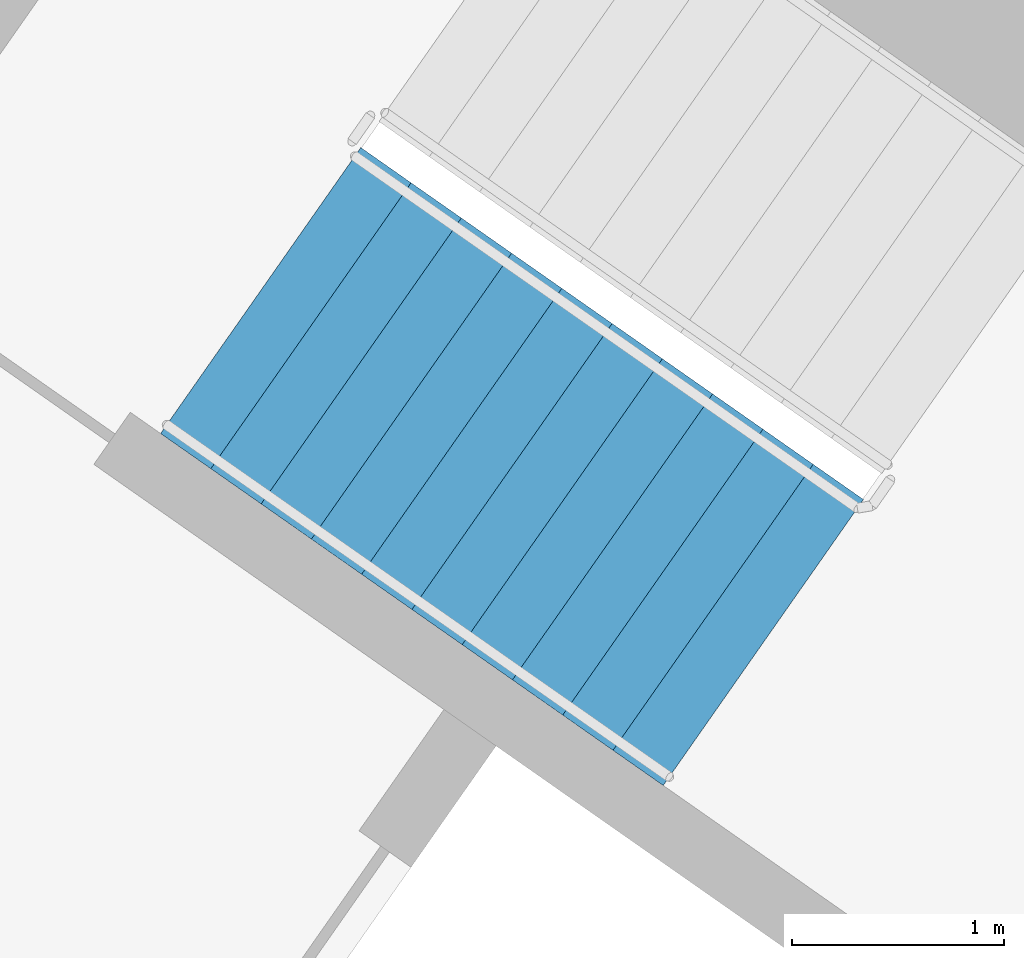
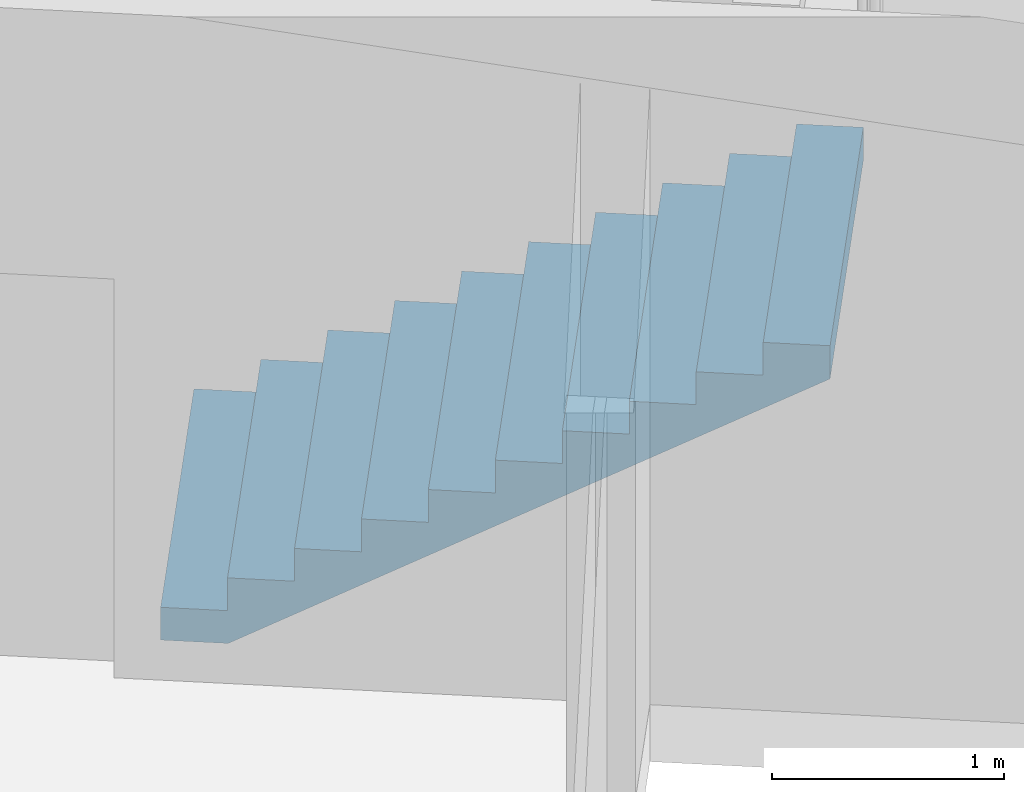
# One storey, part 13 of 33: 1 stair flight, 1 element without a shape of its own.
"""IFC4 building model written with IfcOpenShell, lengths in metres."""

from ifc_helpers import new_model, si_unit, direction, frame, origin, place, context, subcontext, project, spatial, faceted_brep, material, type_object, element, aggregate, save


model = new_model("IFC4")

# Units and contexts
model_context = context("Model", 3, precision=1e-05, world=origin(), true_north=direction((0.0, 1.0)))
body_context = subcontext(model_context, "Body", "Model", "MODEL_VIEW")
ifc_project = project(units=[si_unit("LENGTHUNIT", "METRE"), si_unit("AREAUNIT", "SQUARE_METRE"), si_unit("VOLUMEUNIT", "CUBIC_METRE"), si_unit("PLANEANGLEUNIT", "RADIAN"), si_unit("MASSUNIT", "GRAM", prefix="KILO")], contexts=[model_context])

# Site, building, storey
site_placement = place(None, origin())
site = spatial("IfcSite", under=ifc_project, at=site_placement, CompositionType="ELEMENT")
building_placement = place(site_placement, origin())
building = spatial("IfcBuilding", under=site, at=building_placement, Name="Qamariyya Broadcast Tower", CompositionType="ELEMENT")
storey_placement = place(building_placement, frame((0.0, 0.0, 78.5)))
storey = spatial("IfcBuildingStorey", under=building, at=storey_placement, Name="L16", CompositionType="ELEMENT", Elevation=78.5)

# Stair, stair flight
ifc_material = material(Name="Concrete C50/60", Category="concrete")
stair_type = type_object("IfcStairType", Name="Exit stair 22 risers of 173 mm", PredefinedType="HALF_TURN_STAIR", material=ifc_material)
stair_placement = place(storey_placement, origin())
stair = element("IfcStair", 1, at=stair_placement, inside=storey, type_object=stair_type, Name="L16 Stair W2", PredefinedType="HALF_TURN_STAIR")
stair_flight_type = type_object("IfcStairFlightType", Name="Exit stair flight 11 risers of 173 mm", PredefinedType="STRAIGHT", material=ifc_material)
stair_flight_placement = place(storey_placement, frame((-41.59130859375, -49.15966796875, 0.0), z_axis=(0.0, 0.0, 1.0), x_axis=(0.819152044289, -0.573576436351, 0.0)))
stair_flight = element("IfcStairFlight", 2, at=stair_flight_placement, type_object=stair_flight_type, Name="ST-W2 flight 1", NumberOfRisers=11, NumberOfTreads=10, PredefinedType="STRAIGHT", RiserHeight=0.172727273, TreadLength=0.29, context=body_context, shape_type="Brep", body=[
    faceted_brep([(0.0, 0.824951171875, 0.0), (0.0, 0.824951171875, 0.172607421875), (0.2900390625, 0.824951171875, 0.172607421875), (0.2900390625, 0.824951171875, 0.345458984375), (0.580078125, 0.824951171875, 0.345458984375), (0.580078125, 0.824951171875, 0.51806640625), (0.8701171875, 0.824951171875, 0.51806640625), (0.8701171875, 0.824951171875, 0.69091796875), (1.159912109375, 0.824951171875, 0.69091796875), (1.159912109375, 0.824951171875, 0.863525390625), (1.449951171875, 0.824951171875, 0.863525390625), (1.449951171875, 0.824951171875, 1.036376953125), (1.739990234375, 0.824951171875, 1.036376953125), (1.739990234375, 0.824951171875, 1.208984375), (2.030029296875, 0.824951171875, 1.208984375), (2.030029296875, 0.824951171875, 1.3818359375), (2.320068359375, 0.824951171875, 1.3818359375), (2.320068359375, 0.824951171875, 1.554443359375), (2.610107421875, 0.824951171875, 1.554443359375), (2.610107421875, 0.824951171875, 1.727294921875), (2.89990234375, 0.824951171875, 1.727294921875), (2.89990234375, 0.824951171875, 1.552734375), (0.29296875, 0.824951171875, 0.0), (0.29296875, -0.824951171875, 0.0), (2.89990234375, -0.824951171875, 1.552734375), (2.89990234375, -0.824951171875, 1.727294921875), (2.610107421875, -0.824951171875, 1.727294921875), (2.610107421875, -0.824951171875, 1.554443359375), (2.320068359375, -0.824951171875, 1.554443359375), (2.320068359375, -0.824951171875, 1.3818359375), (2.030029296875, -0.824951171875, 1.3818359375), (2.030029296875, -0.824951171875, 1.208984375), (1.739990234375, -0.824951171875, 1.208984375), (1.739990234375, -0.824951171875, 1.036376953125), (1.449951171875, -0.824951171875, 1.036376953125), (1.449951171875, -0.824951171875, 0.863525390625), (1.159912109375, -0.824951171875, 0.863525390625), (1.159912109375, -0.824951171875, 0.69091796875), (0.8701171875, -0.824951171875, 0.69091796875), (0.8701171875, -0.824951171875, 0.51806640625), (0.580078125, -0.824951171875, 0.51806640625), (0.580078125, -0.824951171875, 0.345458984375), (0.2900390625, -0.824951171875, 0.345458984375), (0.2900390625, -0.824951171875, 0.172607421875), (0.0, -0.824951171875, 0.172607421875), (0.0, -0.824951171875, 0.0), (0.0, 0.10009765625, 0.0), (0.0, 0.086669921875, 0.0), (0.0, 0.0732421875, 0.0), (0.0, 0.06005859375, 0.0), (0.0, 0.046630859375, 0.0), (0.0, 0.033447265625, 0.0), (0.0, 0.02001953125, 0.0), (0.0, 0.006591796875, 0.0), (0.0, -0.006591796875, 0.0), (0.0, -0.02001953125, 0.0), (0.0, -0.033447265625, 0.0), (0.0, -0.046630859375, 0.0), (0.0, -0.06005859375, 0.0), (0.0, -0.0732421875, 0.0), (0.0, -0.086669921875, 0.0), (0.0, -0.10009765625, 0.0), (0.0, -0.10009765625, 0.172607421875), (0.0, -0.086669921875, 0.172607421875), (0.0, -0.0732421875, 0.172607421875), (0.0, -0.06005859375, 0.172607421875), (0.0, -0.046630859375, 0.172607421875), (0.0, -0.033447265625, 0.172607421875), (0.0, -0.02001953125, 0.172607421875), (0.0, -0.006591796875, 0.172607421875), (0.0, 0.006591796875, 0.172607421875), (0.0, 0.02001953125, 0.172607421875), (0.0, 0.033447265625, 0.172607421875), (0.0, 0.046630859375, 0.172607421875), (0.0, 0.06005859375, 0.172607421875), (0.0, 0.0732421875, 0.172607421875), (0.0, 0.086669921875, 0.172607421875), (0.0, 0.10009765625, 0.172607421875), (0.2900390625, -0.10009765625, 0.172607421875), (0.2900390625, -0.086669921875, 0.172607421875), (0.2900390625, -0.0732421875, 0.172607421875), (0.2900390625, -0.06005859375, 0.172607421875), (0.2900390625, -0.046630859375, 0.172607421875), (0.2900390625, -0.033447265625, 0.172607421875), (0.2900390625, -0.02001953125, 0.172607421875), (0.2900390625, -0.006591796875, 0.172607421875), (0.2900390625, 0.006591796875, 0.172607421875), (0.2900390625, 0.02001953125, 0.172607421875), (0.2900390625, 0.033447265625, 0.172607421875), (0.2900390625, 0.046630859375, 0.172607421875), (0.2900390625, 0.06005859375, 0.172607421875), (0.2900390625, 0.0732421875, 0.172607421875), (0.2900390625, 0.086669921875, 0.172607421875), (0.2900390625, 0.10009765625, 0.172607421875), (0.2900390625, -0.10009765625, 0.345458984375), (0.2900390625, -0.086669921875, 0.345458984375), (0.2900390625, -0.0732421875, 0.345458984375), (0.2900390625, -0.06005859375, 0.345458984375), (0.2900390625, -0.046630859375, 0.345458984375), (0.2900390625, -0.033447265625, 0.345458984375), (0.2900390625, -0.02001953125, 0.345458984375), (0.2900390625, -0.006591796875, 0.345458984375), (0.2900390625, 0.006591796875, 0.345458984375), (0.2900390625, 0.02001953125, 0.345458984375), (0.2900390625, 0.033447265625, 0.345458984375), (0.2900390625, 0.046630859375, 0.345458984375), (0.2900390625, 0.06005859375, 0.345458984375), (0.2900390625, 0.0732421875, 0.345458984375), (0.2900390625, 0.086669921875, 0.345458984375), (0.2900390625, 0.10009765625, 0.345458984375), (0.580078125, -0.10009765625, 0.345458984375), (0.580078125, -0.086669921875, 0.345458984375), (0.580078125, -0.0732421875, 0.345458984375), (0.580078125, -0.06005859375, 0.345458984375), (0.580078125, -0.046630859375, 0.345458984375), (0.580078125, -0.033447265625, 0.345458984375), (0.580078125, -0.02001953125, 0.345458984375), (0.580078125, -0.006591796875, 0.345458984375), (0.580078125, 0.006591796875, 0.345458984375), (0.580078125, 0.02001953125, 0.345458984375), (0.580078125, 0.033447265625, 0.345458984375), (0.580078125, 0.046630859375, 0.345458984375), (0.580078125, 0.06005859375, 0.345458984375), (0.580078125, 0.0732421875, 0.345458984375), (0.580078125, 0.086669921875, 0.345458984375), (0.580078125, 0.10009765625, 0.345458984375), (0.580078125, -0.10009765625, 0.51806640625), (0.580078125, -0.086669921875, 0.51806640625), (0.580078125, -0.0732421875, 0.51806640625), (0.580078125, -0.06005859375, 0.51806640625), (0.580078125, -0.046630859375, 0.51806640625), (0.580078125, -0.033447265625, 0.51806640625), (0.580078125, -0.02001953125, 0.51806640625), (0.580078125, -0.006591796875, 0.51806640625), (0.580078125, 0.006591796875, 0.51806640625), (0.580078125, 0.02001953125, 0.51806640625), (0.580078125, 0.033447265625, 0.51806640625), (0.580078125, 0.046630859375, 0.51806640625), (0.580078125, 0.06005859375, 0.51806640625), (0.580078125, 0.0732421875, 0.51806640625), (0.580078125, 0.086669921875, 0.51806640625), (0.580078125, 0.10009765625, 0.51806640625), (0.8701171875, -0.10009765625, 0.51806640625), (0.8701171875, -0.086669921875, 0.51806640625), (0.8701171875, -0.0732421875, 0.51806640625), (0.8701171875, -0.06005859375, 0.51806640625), (0.8701171875, -0.046630859375, 0.51806640625), (0.8701171875, -0.033447265625, 0.51806640625), (0.8701171875, -0.02001953125, 0.51806640625), (0.8701171875, -0.006591796875, 0.51806640625), (0.8701171875, 0.006591796875, 0.51806640625), (0.8701171875, 0.02001953125, 0.51806640625), (0.8701171875, 0.033447265625, 0.51806640625), (0.8701171875, 0.046630859375, 0.51806640625), (0.8701171875, 0.06005859375, 0.51806640625), (0.8701171875, 0.0732421875, 0.51806640625), (0.8701171875, 0.086669921875, 0.51806640625), (0.8701171875, 0.10009765625, 0.51806640625), (0.8701171875, -0.10009765625, 0.69091796875), (0.8701171875, -0.086669921875, 0.69091796875), (0.8701171875, -0.0732421875, 0.69091796875), (0.8701171875, -0.06005859375, 0.69091796875), (0.8701171875, -0.046630859375, 0.69091796875), (0.8701171875, -0.033447265625, 0.69091796875), (0.8701171875, -0.02001953125, 0.69091796875), (0.8701171875, -0.006591796875, 0.69091796875), (0.8701171875, 0.006591796875, 0.69091796875), (0.8701171875, 0.02001953125, 0.69091796875), (0.8701171875, 0.033447265625, 0.69091796875), (0.8701171875, 0.046630859375, 0.69091796875), (0.8701171875, 0.06005859375, 0.69091796875), (0.8701171875, 0.0732421875, 0.69091796875), (0.8701171875, 0.086669921875, 0.69091796875), (0.8701171875, 0.10009765625, 0.69091796875), (1.159912109375, -0.10009765625, 0.69091796875), (1.159912109375, -0.086669921875, 0.69091796875), (1.159912109375, -0.0732421875, 0.69091796875), (1.159912109375, -0.06005859375, 0.69091796875), (1.159912109375, -0.046630859375, 0.69091796875), (1.159912109375, -0.033447265625, 0.69091796875), (1.159912109375, -0.02001953125, 0.69091796875), (1.159912109375, -0.006591796875, 0.69091796875), (1.159912109375, 0.006591796875, 0.69091796875), (1.159912109375, 0.02001953125, 0.69091796875), (1.159912109375, 0.033447265625, 0.69091796875), (1.159912109375, 0.046630859375, 0.69091796875), (1.159912109375, 0.06005859375, 0.69091796875), (1.159912109375, 0.0732421875, 0.69091796875), (1.159912109375, 0.086669921875, 0.69091796875), (1.159912109375, 0.10009765625, 0.69091796875), (1.159912109375, -0.10009765625, 0.863525390625), (1.159912109375, -0.086669921875, 0.863525390625), (1.159912109375, -0.0732421875, 0.863525390625), (1.159912109375, -0.06005859375, 0.863525390625), (1.159912109375, -0.046630859375, 0.863525390625), (1.159912109375, -0.033447265625, 0.863525390625), (1.159912109375, -0.02001953125, 0.863525390625), (1.159912109375, -0.006591796875, 0.863525390625), (1.159912109375, 0.006591796875, 0.863525390625), (1.159912109375, 0.02001953125, 0.863525390625), (1.159912109375, 0.033447265625, 0.863525390625), (1.159912109375, 0.046630859375, 0.863525390625), (1.159912109375, 0.06005859375, 0.863525390625), (1.159912109375, 0.0732421875, 0.863525390625), (1.159912109375, 0.086669921875, 0.863525390625), (1.159912109375, 0.10009765625, 0.863525390625), (1.449951171875, -0.10009765625, 0.863525390625), (1.449951171875, -0.086669921875, 0.863525390625), (1.449951171875, -0.0732421875, 0.863525390625), (1.449951171875, -0.06005859375, 0.863525390625), (1.449951171875, -0.046630859375, 0.863525390625), (1.449951171875, -0.033447265625, 0.863525390625), (1.449951171875, -0.02001953125, 0.863525390625), (1.449951171875, -0.006591796875, 0.863525390625), (1.449951171875, 0.006591796875, 0.863525390625), (1.449951171875, 0.02001953125, 0.863525390625), (1.449951171875, 0.033447265625, 0.863525390625), (1.449951171875, 0.046630859375, 0.863525390625), (1.449951171875, 0.06005859375, 0.863525390625), (1.449951171875, 0.0732421875, 0.863525390625), (1.449951171875, 0.086669921875, 0.863525390625), (1.449951171875, 0.10009765625, 0.863525390625), (1.449951171875, -0.10009765625, 1.036376953125), (1.449951171875, -0.086669921875, 1.036376953125), (1.449951171875, -0.0732421875, 1.036376953125), (1.449951171875, -0.06005859375, 1.036376953125), (1.449951171875, -0.046630859375, 1.036376953125), (1.449951171875, -0.033447265625, 1.036376953125), (1.449951171875, -0.02001953125, 1.036376953125), (1.449951171875, -0.006591796875, 1.036376953125), (1.449951171875, 0.006591796875, 1.036376953125), (1.449951171875, 0.02001953125, 1.036376953125), (1.449951171875, 0.033447265625, 1.036376953125), (1.449951171875, 0.046630859375, 1.036376953125), (1.449951171875, 0.06005859375, 1.036376953125), (1.449951171875, 0.0732421875, 1.036376953125), (1.449951171875, 0.086669921875, 1.036376953125), (1.449951171875, 0.10009765625, 1.036376953125), (1.739990234375, -0.10009765625, 1.036376953125), (1.739990234375, -0.086669921875, 1.036376953125), (1.739990234375, -0.0732421875, 1.036376953125), (1.739990234375, -0.06005859375, 1.036376953125), (1.739990234375, -0.046630859375, 1.036376953125), (1.739990234375, -0.033447265625, 1.036376953125), (1.739990234375, -0.02001953125, 1.036376953125), (1.739990234375, -0.006591796875, 1.036376953125), (1.739990234375, 0.006591796875, 1.036376953125), (1.739990234375, 0.02001953125, 1.036376953125), (1.739990234375, 0.033447265625, 1.036376953125), (1.739990234375, 0.046630859375, 1.036376953125), (1.739990234375, 0.06005859375, 1.036376953125), (1.739990234375, 0.0732421875, 1.036376953125), (1.739990234375, 0.086669921875, 1.036376953125), (1.739990234375, 0.10009765625, 1.036376953125), (1.739990234375, -0.10009765625, 1.208984375), (1.739990234375, -0.086669921875, 1.208984375), (1.739990234375, -0.0732421875, 1.208984375), (1.739990234375, -0.06005859375, 1.208984375), (1.739990234375, -0.046630859375, 1.208984375), (1.739990234375, -0.033447265625, 1.208984375), (1.739990234375, -0.02001953125, 1.208984375), (1.739990234375, -0.006591796875, 1.208984375), (1.739990234375, 0.006591796875, 1.208984375), (1.739990234375, 0.02001953125, 1.208984375), (1.739990234375, 0.033447265625, 1.208984375), (1.739990234375, 0.046630859375, 1.208984375), (1.739990234375, 0.06005859375, 1.208984375), (1.739990234375, 0.0732421875, 1.208984375), (1.739990234375, 0.086669921875, 1.208984375), (1.739990234375, 0.10009765625, 1.208984375), (2.030029296875, -0.10009765625, 1.208984375), (2.030029296875, -0.086669921875, 1.208984375), (2.030029296875, -0.0732421875, 1.208984375), (2.030029296875, -0.06005859375, 1.208984375), (2.030029296875, -0.046630859375, 1.208984375), (2.030029296875, -0.033447265625, 1.208984375), (2.030029296875, -0.02001953125, 1.208984375), (2.030029296875, -0.006591796875, 1.208984375), (2.030029296875, 0.006591796875, 1.208984375), (2.030029296875, 0.02001953125, 1.208984375), (2.030029296875, 0.033447265625, 1.208984375), (2.030029296875, 0.046630859375, 1.208984375), (2.030029296875, 0.06005859375, 1.208984375), (2.030029296875, 0.0732421875, 1.208984375), (2.030029296875, 0.086669921875, 1.208984375), (2.030029296875, 0.10009765625, 1.208984375), (2.030029296875, -0.10009765625, 1.3818359375), (2.030029296875, -0.086669921875, 1.3818359375), (2.030029296875, -0.0732421875, 1.3818359375), (2.030029296875, -0.06005859375, 1.3818359375), (2.030029296875, -0.046630859375, 1.3818359375), (2.030029296875, -0.033447265625, 1.3818359375), (2.030029296875, -0.02001953125, 1.3818359375), (2.030029296875, -0.006591796875, 1.3818359375), (2.030029296875, 0.006591796875, 1.3818359375), (2.030029296875, 0.02001953125, 1.3818359375), (2.030029296875, 0.033447265625, 1.3818359375), (2.030029296875, 0.046630859375, 1.3818359375), (2.030029296875, 0.06005859375, 1.3818359375), (2.030029296875, 0.0732421875, 1.3818359375), (2.030029296875, 0.086669921875, 1.3818359375), (2.030029296875, 0.10009765625, 1.3818359375), (2.320068359375, -0.10009765625, 1.3818359375), (2.320068359375, -0.086669921875, 1.3818359375), (2.320068359375, -0.0732421875, 1.3818359375), (2.320068359375, -0.06005859375, 1.3818359375), (2.320068359375, -0.046630859375, 1.3818359375), (2.320068359375, -0.033447265625, 1.3818359375), (2.320068359375, -0.02001953125, 1.3818359375), (2.320068359375, -0.006591796875, 1.3818359375), (2.320068359375, 0.006591796875, 1.3818359375), (2.320068359375, 0.02001953125, 1.3818359375), (2.320068359375, 0.033447265625, 1.3818359375), (2.320068359375, 0.046630859375, 1.3818359375), (2.320068359375, 0.06005859375, 1.3818359375), (2.320068359375, 0.0732421875, 1.3818359375), (2.320068359375, 0.086669921875, 1.3818359375), (2.320068359375, 0.10009765625, 1.3818359375), (2.320068359375, -0.10009765625, 1.554443359375), (2.320068359375, -0.086669921875, 1.554443359375), (2.320068359375, -0.0732421875, 1.554443359375), (2.320068359375, -0.06005859375, 1.554443359375), (2.320068359375, -0.046630859375, 1.554443359375), (2.320068359375, -0.033447265625, 1.554443359375), (2.320068359375, -0.02001953125, 1.554443359375), (2.320068359375, -0.006591796875, 1.554443359375), (2.320068359375, 0.006591796875, 1.554443359375), (2.320068359375, 0.02001953125, 1.554443359375), (2.320068359375, 0.033447265625, 1.554443359375), (2.320068359375, 0.046630859375, 1.554443359375), (2.320068359375, 0.06005859375, 1.554443359375), (2.320068359375, 0.0732421875, 1.554443359375), (2.320068359375, 0.086669921875, 1.554443359375), (2.320068359375, 0.10009765625, 1.554443359375), (2.610107421875, -0.10009765625, 1.554443359375), (2.610107421875, -0.086669921875, 1.554443359375), (2.610107421875, -0.0732421875, 1.554443359375), (2.610107421875, -0.06005859375, 1.554443359375), (2.610107421875, -0.046630859375, 1.554443359375), (2.610107421875, -0.033447265625, 1.554443359375), (2.610107421875, -0.02001953125, 1.554443359375), (2.610107421875, -0.006591796875, 1.554443359375), (2.610107421875, 0.006591796875, 1.554443359375), (2.610107421875, 0.02001953125, 1.554443359375), (2.610107421875, 0.033447265625, 1.554443359375), (2.610107421875, 0.046630859375, 1.554443359375), (2.610107421875, 0.06005859375, 1.554443359375), (2.610107421875, 0.0732421875, 1.554443359375), (2.610107421875, 0.086669921875, 1.554443359375), (2.610107421875, 0.10009765625, 1.554443359375), (2.610107421875, -0.10009765625, 1.727294921875), (2.610107421875, -0.086669921875, 1.727294921875), (2.610107421875, -0.0732421875, 1.727294921875), (2.610107421875, -0.06005859375, 1.727294921875), (2.610107421875, -0.046630859375, 1.727294921875), (2.610107421875, -0.033447265625, 1.727294921875), (2.610107421875, -0.02001953125, 1.727294921875), (2.610107421875, -0.006591796875, 1.727294921875), (2.610107421875, 0.006591796875, 1.727294921875), (2.610107421875, 0.02001953125, 1.727294921875), (2.610107421875, 0.033447265625, 1.727294921875), (2.610107421875, 0.046630859375, 1.727294921875), (2.610107421875, 0.06005859375, 1.727294921875), (2.610107421875, 0.0732421875, 1.727294921875), (2.610107421875, 0.086669921875, 1.727294921875), (2.610107421875, 0.10009765625, 1.727294921875), (2.89990234375, -0.10009765625, 1.727294921875), (2.89990234375, -0.086669921875, 1.727294921875), (2.89990234375, -0.0732421875, 1.727294921875), (2.89990234375, -0.06005859375, 1.727294921875), (2.89990234375, -0.046630859375, 1.727294921875), (2.89990234375, -0.033447265625, 1.727294921875), (2.89990234375, -0.02001953125, 1.727294921875), (2.89990234375, -0.006591796875, 1.727294921875), (2.89990234375, 0.006591796875, 1.727294921875), (2.89990234375, 0.02001953125, 1.727294921875), (2.89990234375, 0.033447265625, 1.727294921875), (2.89990234375, 0.046630859375, 1.727294921875), (2.89990234375, 0.06005859375, 1.727294921875), (2.89990234375, 0.0732421875, 1.727294921875), (2.89990234375, 0.086669921875, 1.727294921875), (2.89990234375, 0.10009765625, 1.727294921875), (2.89990234375, -0.10009765625, 1.552734375), (2.89990234375, -0.086669921875, 1.552734375), (2.89990234375, -0.0732421875, 1.552734375), (2.89990234375, -0.06005859375, 1.552734375), (2.89990234375, -0.046630859375, 1.552734375), (2.89990234375, -0.033447265625, 1.552734375), (2.89990234375, -0.02001953125, 1.552734375), (2.89990234375, -0.006591796875, 1.552734375), (2.89990234375, 0.006591796875, 1.552734375), (2.89990234375, 0.02001953125, 1.552734375), (2.89990234375, 0.033447265625, 1.552734375), (2.89990234375, 0.046630859375, 1.552734375), (2.89990234375, 0.06005859375, 1.552734375), (2.89990234375, 0.0732421875, 1.552734375), (2.89990234375, 0.086669921875, 1.552734375), (2.89990234375, 0.10009765625, 1.552734375), (0.29296875, -0.10009765625, 0.0), (0.29296875, -0.086669921875, 0.0), (0.29296875, -0.0732421875, 0.0), (0.29296875, -0.06005859375, 0.0), (0.29296875, -0.046630859375, 0.0), (0.29296875, -0.033447265625, 0.0), (0.29296875, -0.02001953125, 0.0), (0.29296875, -0.006591796875, 0.0), (0.29296875, 0.006591796875, 0.0), (0.29296875, 0.02001953125, 0.0), (0.29296875, 0.033447265625, 0.0), (0.29296875, 0.046630859375, 0.0), (0.29296875, 0.06005859375, 0.0), (0.29296875, 0.0732421875, 0.0), (0.29296875, 0.086669921875, 0.0), (0.29296875, 0.10009765625, 0.0)], [[[0, 1, 2, 3, 4, 5, 6, 7, 8, 9, 10, 11, 12, 13, 14, 15, 16, 17, 18, 19, 20, 21, 22]], [[23, 24, 25, 26, 27, 28, 29, 30, 31, 32, 33, 34, 35, 36, 37, 38, 39, 40, 41, 42, 43, 44, 45]], [[0, 46, 47, 48, 49, 50, 51, 52, 53, 54, 55, 56, 57, 58, 59, 60, 61, 45, 44, 62, 63, 64, 65, 66, 67, 68, 69, 70, 71, 72, 73, 74, 75, 76, 77, 1]], [[1, 77, 76, 75, 74, 73, 72, 71, 70, 69, 68, 67, 66, 65, 64, 63, 62, 44, 43, 78, 79, 80, 81, 82, 83, 84, 85, 86, 87, 88, 89, 90, 91, 92, 93, 2]], [[2, 93, 92, 91, 90, 89, 88, 87, 86, 85, 84, 83, 82, 81, 80, 79, 78, 43, 42, 94, 95, 96, 97, 98, 99, 100, 101, 102, 103, 104, 105, 106, 107, 108, 109, 3]], [[3, 109, 108, 107, 106, 105, 104, 103, 102, 101, 100, 99, 98, 97, 96, 95, 94, 42, 41, 110, 111, 112, 113, 114, 115, 116, 117, 118, 119, 120, 121, 122, 123, 124, 125, 4]], [[4, 125, 124, 123, 122, 121, 120, 119, 118, 117, 116, 115, 114, 113, 112, 111, 110, 41, 40, 126, 127, 128, 129, 130, 131, 132, 133, 134, 135, 136, 137, 138, 139, 140, 141, 5]], [[5, 141, 140, 139, 138, 137, 136, 135, 134, 133, 132, 131, 130, 129, 128, 127, 126, 40, 39, 142, 143, 144, 145, 146, 147, 148, 149, 150, 151, 152, 153, 154, 155, 156, 157, 6]], [[6, 157, 156, 155, 154, 153, 152, 151, 150, 149, 148, 147, 146, 145, 144, 143, 142, 39, 38, 158, 159, 160, 161, 162, 163, 164, 165, 166, 167, 168, 169, 170, 171, 172, 173, 7]], [[7, 173, 172, 171, 170, 169, 168, 167, 166, 165, 164, 163, 162, 161, 160, 159, 158, 38, 37, 174, 175, 176, 177, 178, 179, 180, 181, 182, 183, 184, 185, 186, 187, 188, 189, 8]], [[8, 189, 188, 187, 186, 185, 184, 183, 182, 181, 180, 179, 178, 177, 176, 175, 174, 37, 36, 190, 191, 192, 193, 194, 195, 196, 197, 198, 199, 200, 201, 202, 203, 204, 205, 9]], [[9, 205, 204, 203, 202, 201, 200, 199, 198, 197, 196, 195, 194, 193, 192, 191, 190, 36, 35, 206, 207, 208, 209, 210, 211, 212, 213, 214, 215, 216, 217, 218, 219, 220, 221, 10]], [[10, 221, 220, 219, 218, 217, 216, 215, 214, 213, 212, 211, 210, 209, 208, 207, 206, 35, 34, 222, 223, 224, 225, 226, 227, 228, 229, 230, 231, 232, 233, 234, 235, 236, 237, 11]], [[11, 237, 236, 235, 234, 233, 232, 231, 230, 229, 228, 227, 226, 225, 224, 223, 222, 34, 33, 238, 239, 240, 241, 242, 243, 244, 245, 246, 247, 248, 249, 250, 251, 252, 253, 12]], [[12, 253, 252, 251, 250, 249, 248, 247, 246, 245, 244, 243, 242, 241, 240, 239, 238, 33, 32, 254, 255, 256, 257, 258, 259, 260, 261, 262, 263, 264, 265, 266, 267, 268, 269, 13]], [[13, 269, 268, 267, 266, 265, 264, 263, 262, 261, 260, 259, 258, 257, 256, 255, 254, 32, 31, 270, 271, 272, 273, 274, 275, 276, 277, 278, 279, 280, 281, 282, 283, 284, 285, 14]], [[14, 285, 284, 283, 282, 281, 280, 279, 278, 277, 276, 275, 274, 273, 272, 271, 270, 31, 30, 286, 287, 288, 289, 290, 291, 292, 293, 294, 295, 296, 297, 298, 299, 300, 301, 15]], [[15, 301, 300, 299, 298, 297, 296, 295, 294, 293, 292, 291, 290, 289, 288, 287, 286, 30, 29, 302, 303, 304, 305, 306, 307, 308, 309, 310, 311, 312, 313, 314, 315, 316, 317, 16]], [[16, 317, 316, 315, 314, 313, 312, 311, 310, 309, 308, 307, 306, 305, 304, 303, 302, 29, 28, 318, 319, 320, 321, 322, 323, 324, 325, 326, 327, 328, 329, 330, 331, 332, 333, 17]], [[17, 333, 332, 331, 330, 329, 328, 327, 326, 325, 324, 323, 322, 321, 320, 319, 318, 28, 27, 334, 335, 336, 337, 338, 339, 340, 341, 342, 343, 344, 345, 346, 347, 348, 349, 18]], [[18, 349, 348, 347, 346, 345, 344, 343, 342, 341, 340, 339, 338, 337, 336, 335, 334, 27, 26, 350, 351, 352, 353, 354, 355, 356, 357, 358, 359, 360, 361, 362, 363, 364, 365, 19]], [[19, 365, 364, 363, 362, 361, 360, 359, 358, 357, 356, 355, 354, 353, 352, 351, 350, 26, 25, 366, 367, 368, 369, 370, 371, 372, 373, 374, 375, 376, 377, 378, 379, 380, 381, 20]], [[20, 381, 380, 379, 378, 377, 376, 375, 374, 373, 372, 371, 370, 369, 368, 367, 366, 25, 24, 382, 383, 384, 385, 386, 387, 388, 389, 390, 391, 392, 393, 394, 395, 396, 397, 21]], [[21, 397, 396, 395, 394, 393, 392, 391, 390, 389, 388, 387, 386, 385, 384, 383, 382, 24, 23, 398, 399, 400, 401, 402, 403, 404, 405, 406, 407, 408, 409, 410, 411, 412, 413, 22]], [[22, 413, 412, 411, 410, 409, 408, 407, 406, 405, 404, 403, 402, 401, 400, 399, 398, 23, 45, 61, 60, 59, 58, 57, 56, 55, 54, 53, 52, 51, 50, 49, 48, 47, 46, 0]]]),
])
aggregate(stair, [stair_flight])

save(model, "model.ifc")
